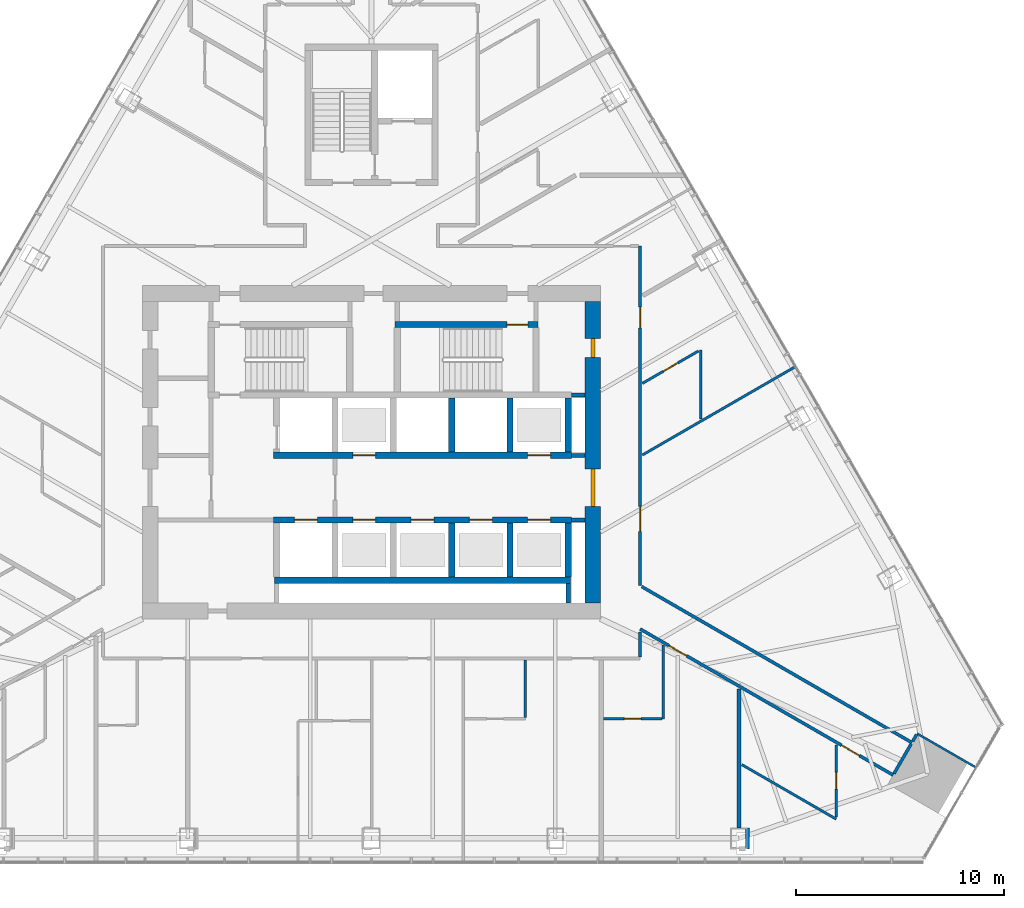
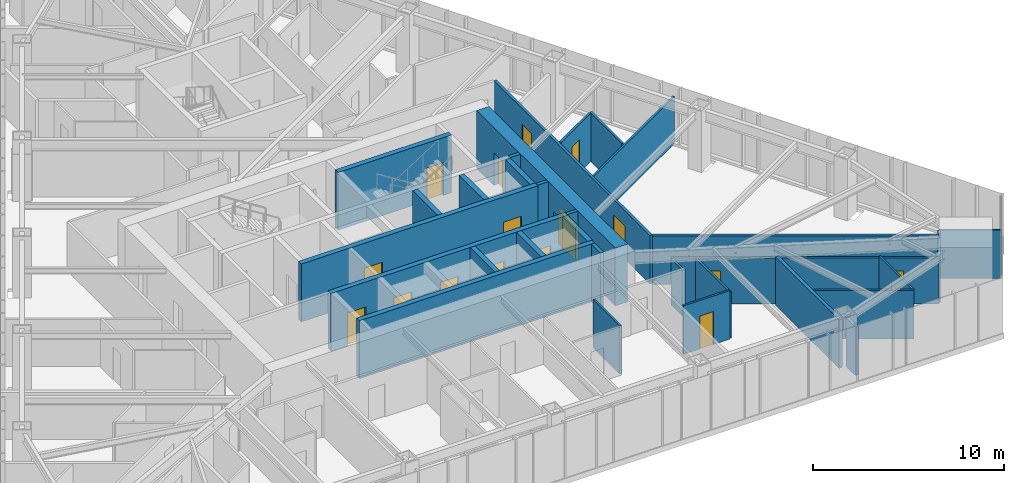
# One storey, part 15 of 19: 32 walls, 17 doors, 17 openings.
"""IFC4 building model written with IfcOpenShell, lengths in metres."""

import ifcopenshell
import ifcopenshell.guid

model = None  # the IFC model being written
_history = None  # IfcOwnerHistory: only IFC2X3 demands one
_inside = {}  # id of a spatial element -> (the spatial element, [elements in it])
_under = {}  # id of a project, library or spatial element -> (it, [spatial elements below it])
_declared = {}  # id of a project -> (the project, [libraries it declares])
_typed = {}  # id of a type object -> (the type object, [elements of that type])
_made_of = {}  # id of a material, layer set ... -> (it, [elements and type objects made of it])


def new_model(schema):
    """Start an empty IFC model of exactly this schema.

    Asked for "IFC4X3", IfcOpenShell would pick the latest addendum, in which some entities
    have other attributes; the version numbers below select the first issue.
    IFC2X3 requires an IfcOwnerHistory on every rooted entity: one is made here for all.
    """
    global model, _history
    if schema == "IFC4X3":
        model = ifcopenshell.file(schema_version=(4, 3, 0, 0))
    else:
        model = ifcopenshell.file(schema=schema)
    _inside.clear()
    _under.clear()
    _declared.clear()
    _typed.clear()
    _made_of.clear()
    _history = None
    if model.schema == "IFC2X3":
        org = make("IfcOrganization", Name="unknown")
        user = make(
            "IfcPersonAndOrganization",
            ThePerson=make("IfcPerson", FamilyName="unknown"),
            TheOrganization=org,
        )
        app = make(
            "IfcApplication",
            ApplicationDeveloper=org,
            Version="unknown",
            ApplicationFullName="unknown",
            ApplicationIdentifier="unknown",
        )
        _history = make(
            "IfcOwnerHistory",
            OwningUser=user,
            OwningApplication=app,
            ChangeAction="ADDED",
            CreationDate=0,
        )
    return model


def make(cls, **values):
    """One entity of the class cls with the attributes given. An attribute that is None is left unset."""
    return model.create_entity(
        cls, **{name: value for name, value in values.items() if value is not None}
    )


def rooted(cls, **values):
    """An entity with a GlobalId (a new one), such as an element, a storey or a relation."""
    return make(cls, GlobalId=ifcopenshell.guid.new(), OwnerHistory=_history, **values)


def si_unit(unit_type, name, prefix=None):
    """IfcSIUnit, for example si_unit("LENGTHUNIT", "METRE", prefix="MILLI")."""
    return make("IfcSIUnit", UnitType=unit_type, Prefix=prefix, Name=name)


def assignment(units):
    """IfcUnitAssignment: the units of a project."""
    return None if units is None else make("IfcUnitAssignment", Units=units)


def point(xyz):
    """IfcCartesianPoint."""
    return None if xyz is None else make("IfcCartesianPoint", Coordinates=xyz)


def direction(xyz):
    """IfcDirection."""
    return None if xyz is None else make("IfcDirection", DirectionRatios=xyz)


def frame(location, z_axis=None, x_axis=None):
    """IfcAxis2Placement3D, a coordinate frame: its origin and axes. An axis left out is left unset."""
    return make(
        "IfcAxis2Placement3D",
        Location=point(location),
        Axis=direction(z_axis),
        RefDirection=direction(x_axis),
    )


def frame_2d(location, x_axis=None):
    """IfcAxis2Placement2D, a coordinate frame in the plane: its origin and x axis."""
    return make(
        "IfcAxis2Placement2D", Location=point(location), RefDirection=direction(x_axis)
    )


def origin():
    """The frame at (0, 0, 0) with its axes left unset."""
    return frame((0.0, 0.0, 0.0))


def place(relative_to, where):
    """IfcLocalPlacement: puts the frame where relative to a parent placement (None: the world)."""
    return make(
        "IfcLocalPlacement", PlacementRelTo=relative_to, RelativePlacement=where
    )


def context(
    kind, dimensions, precision=None, world=None, true_north=None, identifier=None
):
    """IfcGeometricRepresentationContext, for example the 3D "Model" context."""
    return make(
        "IfcGeometricRepresentationContext",
        ContextIdentifier=identifier,
        ContextType=kind,
        CoordinateSpaceDimension=dimensions,
        Precision=precision,
        WorldCoordinateSystem=world,
        TrueNorth=true_north,
    )


def subcontext(parent, identifier, kind, view, scale=None):
    """IfcGeometricRepresentationSubContext, for example "Body" below "Model"."""
    return make(
        "IfcGeometricRepresentationSubContext",
        ContextIdentifier=identifier,
        ContextType=kind,
        ParentContext=parent,
        TargetScale=scale,
        TargetView=view,
    )


def project(units=None, contexts=None):
    """IfcProject with its units and contexts."""
    return rooted(
        "IfcProject",
        Name="project",
        RepresentationContexts=contexts,
        UnitsInContext=assignment(units),
    )


def spatial(cls, under=None, at=None, **own):
    """A site, building, storey or space (cls), placed at a placement, below another one or the project."""
    s = rooted(cls, ObjectPlacement=at, **own)
    if under is not None:
        _under.setdefault(under.id(), (under, []))[1].append(s)
    return s


def profile(cls, at=None, kind="AREA", **sizes):
    """A parametric profile (cls). Its sizes go by their IFC names, for example OverallWidth=200.0."""
    return make(cls, ProfileType=kind, Position=at, **sizes)


def rectangle(**sizes):
    """IfcRectangleProfileDef."""
    return profile("IfcRectangleProfileDef", **sizes)


def extrude(swept, where, along, depth):
    """IfcExtrudedAreaSolid: the profile swept, set in the frame where, extruded along a direction by depth."""
    return make(
        "IfcExtrudedAreaSolid",
        SweptArea=swept,
        Position=where,
        ExtrudedDirection=direction(along),
        Depth=depth,
    )


def shape(context_of_items, identifier, shape_type, items):
    """IfcShapeRepresentation: the items that make up one representation, for example the "Body"."""
    return make(
        "IfcShapeRepresentation",
        ContextOfItems=context_of_items,
        RepresentationIdentifier=identifier,
        RepresentationType=shape_type,
        Items=items,
    )


def material(Name=None, Category=None):
    """IfcMaterial."""
    return make("IfcMaterial", Name=Name, Category=Category)


def layer(
    of_material, thickness, ventilated=None, Name=None, Category=None, Priority=None
):
    """IfcMaterialLayer: one layer of a wall or slab, of a material (None: an air gap)."""
    return make(
        "IfcMaterialLayer",
        Material=of_material,
        LayerThickness=thickness,
        IsVentilated=ventilated,
        Name=Name,
        Category=Category,
        Priority=Priority,
    )


def layer_set(layers, Name=None):
    """IfcMaterialLayerSet."""
    return make("IfcMaterialLayerSet", MaterialLayers=layers, LayerSetName=Name)


def made_of(thing, what):
    """Note that an element or type object is made of a material, layer set ...; save() writes the relation."""
    if what is not None:
        _made_of.setdefault(what.id(), (what, []))[1].append(thing)
    return thing


def type_object(cls, material=None, **own):
    """A type object (cls), such as IfcWallType, which elements share."""
    return made_of(rooted(cls, **own), material)


def element(
    cls,
    number,
    at=None,
    inside=None,
    cuts=None,
    type_object=None,
    material=None,
    context=None,
    identifier="Body",
    shape_type=None,
    held_by="IfcProductDefinitionShape",
    body=None,
    shapes=None,
    **own,
):
    """One element of the class cls, such as IfcWall. Its Tag is "e" and its number.

    at: its placement. inside: the storey or other place that contains it. cuts: it is an
    opening in that element (IfcRelVoidsElement). A single representation is given by context,
    identifier, shape_type and body (its items); several are given by shapes. held_by: the class
    of the entity that holds the representations. save() writes the other relations.
    """
    e = rooted(cls, Tag="e%d" % number, ObjectPlacement=at, **own)
    if body is not None:
        shapes = [shape(context, identifier, shape_type, body)]
    if shapes is not None:
        e.Representation = make(held_by, Representations=shapes)
    if inside is not None:
        _inside.setdefault(inside.id(), (inside, []))[1].append(e)
    if cuts is not None:
        rooted(
            "IfcRelVoidsElement", RelatingBuildingElement=cuts, RelatedOpeningElement=e
        )
    if type_object is not None:
        _typed.setdefault(type_object.id(), (type_object, []))[1].append(e)
    return made_of(e, material)


def fill(opening, filler):
    """IfcRelFillsElement: the door or window that sits in an opening."""
    return rooted(
        "IfcRelFillsElement",
        RelatingOpeningElement=opening,
        RelatedBuildingElement=filler,
    )


def aggregate(whole, parts):
    """IfcRelAggregates: a whole, such as a stair, and the parts it consists of."""
    return rooted("IfcRelAggregates", RelatingObject=whole, RelatedObjects=parts)


def save(model, path):
    """Write the relations noted so far, then the file.

    IfcRelAggregates (storeys below a building ...), IfcRelContainedInSpatialStructure (elements
    in a storey), IfcRelDefinesByType, IfcRelAssociatesMaterial and IfcRelDeclares: one each for
    every whole, place, type object, material and project.
    """
    for whole, parts in _under.values():
        aggregate(whole, parts)
    for where, things in _inside.values():
        rooted(
            "IfcRelContainedInSpatialStructure",
            RelatedElements=things,
            RelatingStructure=where,
        )
    for kind, things in _typed.values():
        rooted("IfcRelDefinesByType", RelatedObjects=things, RelatingType=kind)
    for what, things in _made_of.values():
        rooted("IfcRelAssociatesMaterial", RelatedObjects=things, RelatingMaterial=what)
    for by, libraries in _declared.values():
        rooted("IfcRelDeclares", RelatingContext=by, RelatedDefinitions=libraries)
    model.write(path)


model = new_model("IFC4")

# Units and contexts
model_context = context("Model", 3, precision=1e-05, world=origin(), true_north=direction((0.0, 1.0)))
body_context = subcontext(model_context, "Body", "Model", "MODEL_VIEW")
ifc_project = project(units=[si_unit("LENGTHUNIT", "METRE"), si_unit("AREAUNIT", "SQUARE_METRE"), si_unit("VOLUMEUNIT", "CUBIC_METRE"), si_unit("PLANEANGLEUNIT", "RADIAN"), si_unit("MASSUNIT", "GRAM", prefix="KILO")], contexts=[model_context])

# Site, building, storey
site_placement = place(None, origin())
site = spatial("IfcSite", under=ifc_project, at=site_placement, CompositionType="ELEMENT")
building_placement = place(site_placement, origin())
building = spatial("IfcBuilding", under=site, at=building_placement, Name="Firuza Gate Tower and Library", CompositionType="ELEMENT")
storey_placement = place(building_placement, frame((0.0, 0.0, 179.199951171875)))
storey = spatial("IfcBuildingStorey", under=building, at=storey_placement, Name="L41", CompositionType="ELEMENT", Elevation=179.199951171875)

# Walls
ifc_material_1 = material(Name="Plasterboard on steel studs", Category="steel")
ifc_layer_1 = layer(ifc_material_1, 0.199951171875)
ifc_layer_set_1 = layer_set([ifc_layer_1], Name="Core partition 200 EI 120")
wall_type_1 = type_object("IfcWallType", Name="Core partition 200 EI 120", PredefinedType="PARTITIONING", material=ifc_layer_set_1)
for number, where, z_axis, x_axis, name in (
    (1, (84.60009765625, 71.75, 0.0), (0.0, 0.0, 1.0), (1.0, 0.0, 0.0), "Core partition L41 2"),
    (2, (84.60009765625, 74.85009765625, 0.0), (0.0, 0.0, 1.0), (1.0, 0.0, 0.0), "Core partition L41 4"),
    (3, (84.60009765625, 77.75, 0.0), (0.0, 0.0, 1.0), (1.0, 0.0, 0.0), "Core partition L41 5"),
):
    element("IfcWall", number, at=place(storey_placement, frame(where, z_axis=z_axis, x_axis=x_axis)), inside=storey, type_object=wall_type_1, Name=name, PredefinedType="PARTITIONING", context=body_context, shape_type="SweptSolid", body=[
        extrude(rectangle(XDim=0.64990234375, YDim=0.199951171875, at=frame_2d((0.324951171875, 0.0))), origin(), (0.0, 0.0, 1.0), 3.699951171875),
    ])
wall_1_placement = place(storey_placement, frame((84.449951171875, 67.75, 0.0), z_axis=(0.0, 0.0, 1.0), x_axis=(0.0, 1.0, 0.0)))
element("IfcWall", 4, at=wall_1_placement, inside=storey, type_object=wall_type_1, Name="Core partition L41 14", PredefinedType="PARTITIONING", context=body_context, shape_type="SweptSolid", body=[
    extrude(rectangle(XDim=0.949951171875, YDim=0.199951171875, at=frame_2d((0.47509765625, 0.0))), origin(), (0.0, 0.0, 1.0), 3.699951171875),
])
ifc_material_2 = material(Name="Concrete C80/95", Category="concrete")
ifc_layer_2 = layer(ifc_material_2, 0.300048828125)
ifc_layer_set_2 = layer_set([ifc_layer_2], Name="Core wall 300 C80/95")
wall_type_2 = type_object("IfcWallType", Name="Core wall 300 C80/95", PredefinedType="SHEAR", material=ifc_layer_set_2)
wall_2_placement = place(storey_placement, frame((70.35009765625, 68.85009765625, 0.0), z_axis=(0.0, 0.0, 1.0), x_axis=(1.0, 0.0, 0.0)))
element("IfcWall", 5, at=wall_2_placement, inside=storey, type_object=wall_type_2, Name="Core wall L41 5", PredefinedType="SHEAR", context=body_context, shape_type="SweptSolid", body=[
    extrude(rectangle(XDim=14.199951171875, YDim=0.300048828125, at=frame_2d((7.10009765625, 0.0))), origin(), (0.0, 0.0, 1.0), 3.699951171875),
])

# Wall, openings, doors
wall_3_placement = place(storey_placement, frame((70.300048828125, 71.75, 0.0), z_axis=(0.0, 0.0, 1.0), x_axis=(1.0, 0.0, 0.0)))
wall_3 = element("IfcWall", 6, at=wall_3_placement, inside=storey, type_object=wall_type_2, Name="Core wall L41 6", PredefinedType="SHEAR", context=body_context, shape_type="SweptSolid", body=[
    extrude(rectangle(XDim=14.300048828125, YDim=0.300048828125, at=frame_2d((7.14990234375, 0.0))), origin(), (0.0, 0.0, 1.0), 3.699951171875),
])
opening_1_placement = place(wall_3_placement, frame((1.0, 0.0, 0.0)))
opening_1 = element("IfcOpeningElement", 7, at=opening_1_placement, cuts=wall_3, Name="Opening LD-FF1-L41", PredefinedType="OPENING", context=body_context, shape_type="SweptSolid", body=[
    extrude(rectangle(XDim=1.10009765625, YDim=2.10009765625, at=frame_2d((0.550048828125, 1.050048828125))), frame((0.0, 0.16015625, 0.0), z_axis=(0.0, -1.0, 0.0), x_axis=(1.0, 0.0, 0.0)), (0.0, 0.0, 1.0), 0.320068359375),
])
opening_2_placement = place(wall_3_placement, frame((3.800048828125, 0.0, 0.0)))
opening_2 = element("IfcOpeningElement", 8, at=opening_2_placement, cuts=wall_3, Name="Opening LD-MR1-L41", PredefinedType="OPENING", context=body_context, shape_type="SweptSolid", body=[
    extrude(rectangle(XDim=1.10009765625, YDim=2.10009765625, at=frame_2d((0.550048828125, 1.050048828125))), frame((0.0, 0.16015625, 0.0), z_axis=(0.0, -1.0, 0.0), x_axis=(1.0, 0.0, 0.0)), (0.0, 0.0, 1.0), 0.320068359375),
])
opening_3_placement = place(wall_3_placement, frame((6.60009765625, 0.0, 0.0)))
opening_3 = element("IfcOpeningElement", 9, at=opening_3_placement, cuts=wall_3, Name="Opening LD-MR2-L41", PredefinedType="OPENING", context=body_context, shape_type="SweptSolid", body=[
    extrude(rectangle(XDim=1.10009765625, YDim=2.10009765625, at=frame_2d((0.550048828125, 1.050048828125))), frame((0.0, 0.16015625, 0.0), z_axis=(0.0, -1.0, 0.0), x_axis=(1.0, 0.0, 0.0)), (0.0, 0.0, 1.0), 0.320068359375),
])
opening_4_placement = place(wall_3_placement, frame((9.39990234375, 0.0, 0.0)))
opening_4 = element("IfcOpeningElement", 10, at=opening_4_placement, cuts=wall_3, Name="Opening LD-MR3-L41", PredefinedType="OPENING", context=body_context, shape_type="SweptSolid", body=[
    extrude(rectangle(XDim=1.10009765625, YDim=2.10009765625, at=frame_2d((0.550048828125, 1.050048828125))), frame((0.0, 0.16015625, 0.0), z_axis=(0.0, -1.0, 0.0), x_axis=(1.0, 0.0, 0.0)), (0.0, 0.0, 1.0), 0.320068359375),
])
opening_5_placement = place(wall_3_placement, frame((12.199951171875, 0.0, 0.0)))
opening_5 = element("IfcOpeningElement", 11, at=opening_5_placement, cuts=wall_3, Name="Opening LD-MR5-L41", PredefinedType="OPENING", context=body_context, shape_type="SweptSolid", body=[
    extrude(rectangle(XDim=1.10009765625, YDim=2.10009765625, at=frame_2d((0.550048828125, 1.050048828125))), frame((0.0, 0.16015625, 0.0), z_axis=(0.0, -1.0, 0.0), x_axis=(1.0, 0.0, 0.0)), (0.0, 0.0, 1.0), 0.320068359375),
])
ifc_material_3 = material(Name="Stainless steel", Category="steel")
door_type_1 = type_object("IfcDoorType", Name="Lift landing door 1100x2100", OperationType="DOUBLE_DOOR_SLIDING", PredefinedType="DOOR", material=ifc_material_3)
door_1_placement = place(opening_1_placement, origin())
door_1 = element("IfcDoor", 12, at=door_1_placement, inside=storey, type_object=door_type_1, Name="Landing door FF1 L41", OperationType="DOUBLE_DOOR_SLIDING", OverallHeight=2.10009765625, OverallWidth=1.10009765625, PredefinedType="DOOR", context=body_context, shape_type="SweptSolid", body=[
    extrude(rectangle(XDim=1.10009765625, YDim=2.10009765625, at=frame_2d((0.550048828125, 1.050048828125))), frame((0.0, 0.02490234375, 0.0), z_axis=(0.0, -1.0, 0.0), x_axis=(1.0, 0.0, 0.0)), (0.0, 0.0, 1.0), 0.050048828125),
])
fill(opening_1, door_1)
door_2_placement = place(opening_2_placement, origin())
door_2 = element("IfcDoor", 13, at=door_2_placement, inside=storey, type_object=door_type_1, Name="Landing door MR1 L41", OperationType="DOUBLE_DOOR_SLIDING", OverallHeight=2.10009765625, OverallWidth=1.10009765625, PredefinedType="DOOR", context=body_context, shape_type="SweptSolid", body=[
    extrude(rectangle(XDim=1.10009765625, YDim=2.10009765625, at=frame_2d((0.550048828125, 1.050048828125))), frame((0.0, 0.02490234375, 0.0), z_axis=(0.0, -1.0, 0.0), x_axis=(1.0, 0.0, 0.0)), (0.0, 0.0, 1.0), 0.050048828125),
])
fill(opening_2, door_2)
door_3_placement = place(opening_3_placement, origin())
door_3 = element("IfcDoor", 14, at=door_3_placement, inside=storey, type_object=door_type_1, Name="Landing door MR2 L41", OperationType="DOUBLE_DOOR_SLIDING", OverallHeight=2.10009765625, OverallWidth=1.10009765625, PredefinedType="DOOR", context=body_context, shape_type="SweptSolid", body=[
    extrude(rectangle(XDim=1.10009765625, YDim=2.10009765625, at=frame_2d((0.550048828125, 1.050048828125))), frame((0.0, 0.02490234375, 0.0), z_axis=(0.0, -1.0, 0.0), x_axis=(1.0, 0.0, 0.0)), (0.0, 0.0, 1.0), 0.050048828125),
])
fill(opening_3, door_3)
door_4_placement = place(opening_4_placement, origin())
door_4 = element("IfcDoor", 15, at=door_4_placement, inside=storey, type_object=door_type_1, Name="Landing door MR3 L41", OperationType="DOUBLE_DOOR_SLIDING", OverallHeight=2.10009765625, OverallWidth=1.10009765625, PredefinedType="DOOR", context=body_context, shape_type="SweptSolid", body=[
    extrude(rectangle(XDim=1.10009765625, YDim=2.10009765625, at=frame_2d((0.550048828125, 1.050048828125))), frame((0.0, 0.02490234375, 0.0), z_axis=(0.0, -1.0, 0.0), x_axis=(1.0, 0.0, 0.0)), (0.0, 0.0, 1.0), 0.050048828125),
])
fill(opening_4, door_4)
door_5_placement = place(opening_5_placement, origin())
door_5 = element("IfcDoor", 16, at=door_5_placement, inside=storey, type_object=door_type_1, Name="Landing door MR5 L41", OperationType="DOUBLE_DOOR_SLIDING", OverallHeight=2.10009765625, OverallWidth=1.10009765625, PredefinedType="DOOR", context=body_context, shape_type="SweptSolid", body=[
    extrude(rectangle(XDim=1.10009765625, YDim=2.10009765625, at=frame_2d((0.550048828125, 1.050048828125))), frame((0.0, 0.02490234375, 0.0), z_axis=(0.0, -1.0, 0.0), x_axis=(1.0, 0.0, 0.0)), (0.0, 0.0, 1.0), 0.050048828125),
])
fill(opening_5, door_5)

wall_4_placement = place(storey_placement, frame((70.300048828125, 74.85009765625, 0.0), z_axis=(0.0, 0.0, 1.0), x_axis=(1.0, 0.0, 0.0)))
wall_4 = element("IfcWall", 17, at=wall_4_placement, inside=storey, type_object=wall_type_2, Name="Core wall L41 7", PredefinedType="SHEAR", context=body_context, shape_type="SweptSolid", body=[
    extrude(rectangle(XDim=14.300048828125, YDim=0.300048828125, at=frame_2d((7.14990234375, 0.0))), origin(), (0.0, 0.0, 1.0), 3.699951171875),
])
opening_6_placement = place(wall_4_placement, frame((3.800048828125, 0.0, 0.0)))
opening_6 = element("IfcOpeningElement", 18, at=opening_6_placement, cuts=wall_4, Name="Opening LD-MR4-L41", PredefinedType="OPENING", context=body_context, shape_type="SweptSolid", body=[
    extrude(rectangle(XDim=1.10009765625, YDim=2.10009765625, at=frame_2d((0.550048828125, 1.050048828125))), frame((0.0, 0.16015625, 0.0), z_axis=(0.0, -1.0, 0.0), x_axis=(1.0, 0.0, 0.0)), (0.0, 0.0, 1.0), 0.320068359375),
])
opening_7_placement = place(wall_4_placement, frame((12.199951171875, 0.0, 0.0)))
opening_7 = element("IfcOpeningElement", 19, at=opening_7_placement, cuts=wall_4, Name="Opening LD-MR6-L41", PredefinedType="OPENING", context=body_context, shape_type="SweptSolid", body=[
    extrude(rectangle(XDim=1.10009765625, YDim=2.10009765625, at=frame_2d((0.550048828125, 1.050048828125))), frame((0.0, 0.16015625, 0.0), z_axis=(0.0, -1.0, 0.0), x_axis=(1.0, 0.0, 0.0)), (0.0, 0.0, 1.0), 0.320068359375),
])
door_6_placement = place(opening_6_placement, origin())
door_6 = element("IfcDoor", 20, at=door_6_placement, inside=storey, type_object=door_type_1, Name="Landing door MR4 L41", OperationType="DOUBLE_DOOR_SLIDING", OverallHeight=2.10009765625, OverallWidth=1.10009765625, PredefinedType="DOOR", context=body_context, shape_type="SweptSolid", body=[
    extrude(rectangle(XDim=1.10009765625, YDim=2.10009765625, at=frame_2d((0.550048828125, 1.050048828125))), frame((0.0, 0.02490234375, 0.0), z_axis=(0.0, -1.0, 0.0), x_axis=(1.0, 0.0, 0.0)), (0.0, 0.0, 1.0), 0.050048828125),
])
fill(opening_6, door_6)
door_7_placement = place(opening_7_placement, origin())
door_7 = element("IfcDoor", 21, at=door_7_placement, inside=storey, type_object=door_type_1, Name="Landing door MR6 L41", OperationType="DOUBLE_DOOR_SLIDING", OverallHeight=2.10009765625, OverallWidth=1.10009765625, PredefinedType="DOOR", context=body_context, shape_type="SweptSolid", body=[
    extrude(rectangle(XDim=1.10009765625, YDim=2.10009765625, at=frame_2d((0.550048828125, 1.050048828125))), frame((0.0, 0.02490234375, 0.0), z_axis=(0.0, -1.0, 0.0), x_axis=(1.0, 0.0, 0.0)), (0.0, 0.0, 1.0), 0.050048828125),
])
fill(opening_7, door_7)

# Walls
for number, where, z_axis, x_axis, name in (
    (22, (78.85009765625, 69.0, 0.0), (0.0, 0.0, 1.0), (0.0, 1.0, 0.0), "Core wall L41 14"),
    (23, (78.85009765625, 75.0, 0.0), (0.0, 0.0, 1.0), (0.0, 1.0, 0.0), "Core wall L41 15"),
    (24, (81.64990234375, 69.0, 0.0), (0.0, 0.0, 1.0), (0.0, 1.0, 0.0), "Core wall L41 16"),
    (25, (81.64990234375, 75.0, 0.0), (0.0, 0.0, 1.0), (0.0, 1.0, 0.0), "Core wall L41 17"),
    (26, (84.449951171875, 69.0, 0.0), (0.0, 0.0, 1.0), (0.0, 1.0, 0.0), "Core wall L41 18"),
    (27, (84.449951171875, 75.0, 0.0), (0.0, 0.0, 1.0), (0.0, 1.0, 0.0), "Core wall L41 19"),
):
    element("IfcWall", number, at=place(storey_placement, frame(where, z_axis=z_axis, x_axis=x_axis)), inside=storey, type_object=wall_type_2, Name=name, PredefinedType="SHEAR", context=body_context, shape_type="SweptSolid", body=[
        extrude(rectangle(XDim=2.60009765625, YDim=0.300048828125, at=frame_2d((1.300048828125, 0.0))), origin(), (0.0, 0.0, 1.0), 3.699951171875),
    ])

# Wall, opening, door
wall_5_placement = place(storey_placement, frame((76.139892578125, 81.1298828125, 0.0), z_axis=(0.0, 0.0, 1.0), x_axis=(1.0, 0.0, 0.0)))
wall_5 = element("IfcWall", 28, at=wall_5_placement, inside=storey, type_object=wall_type_2, Name="Core wall L41 22", PredefinedType="SHEAR", context=body_context, shape_type="SweptSolid", body=[
    extrude(rectangle(XDim=6.860107421875, YDim=0.300048828125, at=frame_2d((3.43017578125, 0.0))), origin(), (0.0, 0.0, 1.0), 3.699951171875),
])
opening_8_placement = place(wall_5_placement, frame((5.364990234375, 0.0, 0.0)))
opening_8 = element("IfcOpeningElement", 29, at=opening_8_placement, cuts=wall_5, Name="Opening L41-K13", PredefinedType="OPENING", context=body_context, shape_type="SweptSolid", body=[
    extrude(rectangle(XDim=1.0, YDim=2.10009765625, at=frame_2d((0.5, 1.050048828125))), frame((0.0, 0.16015625, 0.0), z_axis=(0.0, -1.0, 0.0), x_axis=(1.0, 0.0, 0.0)), (0.0, 0.0, 1.0), 0.320068359375),
])
ifc_material_4 = material(Name="Steel", Category="steel")
door_type_2 = type_object("IfcDoorType", Name="Fire door 1000x2100 FD90", OperationType="NOTDEFINED", PredefinedType="DOOR", material=ifc_material_4)
door_8_placement = place(opening_8_placement, origin())
door_8 = element("IfcDoor", 30, at=door_8_placement, inside=storey, type_object=door_type_2, Name="Door L41-K13", OperationType="SINGLE_SWING_RIGHT", OverallHeight=2.10009765625, OverallWidth=1.0, PredefinedType="DOOR", context=body_context, shape_type="SweptSolid", body=[
    extrude(rectangle(XDim=1.0, YDim=2.10009765625, at=frame_2d((0.5, 1.050048828125))), frame((0.0, 0.02490234375, 0.0), z_axis=(0.0, -1.0, 0.0), x_axis=(1.0, 0.0, 0.0)), (0.0, 0.0, 1.0), 0.050048828125),
])
fill(opening_8, door_8)

# Wall, openings, doors
ifc_material_5 = material(Name="Concrete C80/95", Category="concrete")
ifc_layer_3 = layer(ifc_material_5, 0.75)
ifc_layer_set_3 = layer_set([ifc_layer_3], Name="Core wall 750 C80/95")
wall_type_3 = type_object("IfcWallType", Name="Core wall 750 C80/95", PredefinedType="SHEAR", material=ifc_layer_set_3)
wall_6_placement = place(storey_placement, frame((85.625, 67.75, 0.0), z_axis=(0.0, 0.0, 1.0), x_axis=(0.0, 1.0, 0.0)))
wall_6 = element("IfcWall", 31, at=wall_6_placement, inside=storey, type_object=wall_type_3, Name="Core wall L41 4", PredefinedType="SHEAR", context=body_context, shape_type="SweptSolid", body=[
    extrude(rectangle(XDim=14.5, YDim=0.75, at=frame_2d((7.25, 0.0))), origin(), (0.0, 0.0, 1.0), 3.699951171875),
])
opening_9_placement = place(wall_6_placement, frame((4.64990234375, 0.0, 0.0)))
opening_9 = element("IfcOpeningElement", 32, at=opening_9_placement, cuts=wall_6, Name="Opening L41-K21", PredefinedType="OPENING", context=body_context, shape_type="SweptSolid", body=[
    extrude(rectangle(XDim=1.800048828125, YDim=2.10009765625, at=frame_2d((0.89990234375, 1.050048828125))), frame((0.0, 0.385009765625, 0.0), z_axis=(0.0, -1.0, 0.0), x_axis=(1.0, 0.0, 0.0)), (0.0, 0.0, 1.0), 0.77001953125),
])
opening_10_placement = place(wall_6_placement, frame((11.800048828125, 0.0, 0.0)))
opening_10 = element("IfcOpeningElement", 33, at=opening_10_placement, cuts=wall_6, Name="Opening L41-K26", PredefinedType="OPENING", context=body_context, shape_type="SweptSolid", body=[
    extrude(rectangle(XDim=0.89990234375, YDim=2.10009765625, at=frame_2d((0.449951171875, 1.050048828125))), frame((0.0, 0.385009765625, 0.0), z_axis=(0.0, -1.0, 0.0), x_axis=(1.0, 0.0, 0.0)), (0.0, 0.0, 1.0), 0.77001953125),
])
ifc_material_6 = material(Name="Steel", Category="steel")
door_type_3 = type_object("IfcDoorType", Name="Fire door 1800x2100 FD30S", OperationType="NOTDEFINED", PredefinedType="DOOR", material=ifc_material_6)
door_9_placement = place(opening_9_placement, origin())
door_9 = element("IfcDoor", 34, at=door_9_placement, inside=storey, type_object=door_type_3, Name="Door L41-K21", OperationType="SINGLE_SWING_RIGHT", OverallHeight=2.10009765625, OverallWidth=1.800048828125, PredefinedType="DOOR", context=body_context, shape_type="SweptSolid", body=[
    extrude(rectangle(XDim=1.800048828125, YDim=2.10009765625, at=frame_2d((0.89990234375, 1.050048828125))), frame((0.0, 0.094970703125, 0.0), z_axis=(0.0, -1.0, 0.0), x_axis=(1.0, 0.0, 0.0)), (0.0, 0.0, 1.0), 0.18994140625),
])
fill(opening_9, door_9)
ifc_material_7 = material(Name="Steel", Category="steel")
door_type_4 = type_object("IfcDoorType", Name="Fire door 900x2100 FD30S", OperationType="NOTDEFINED", PredefinedType="DOOR", material=ifc_material_7)
door_10_placement = place(opening_10_placement, origin())
door_10 = element("IfcDoor", 35, at=door_10_placement, inside=storey, type_object=door_type_4, Name="Door L41-K26", OperationType="SINGLE_SWING_LEFT", OverallHeight=2.10009765625, OverallWidth=0.89990234375, PredefinedType="DOOR", context=body_context, shape_type="SweptSolid", body=[
    extrude(rectangle(XDim=0.89990234375, YDim=2.10009765625, at=frame_2d((0.449951171875, 1.050048828125))), frame((0.0, 0.094970703125, 0.0), z_axis=(0.0, -1.0, 0.0), x_axis=(1.0, 0.0, 0.0)), (0.0, 0.0, 1.0), 0.18994140625),
])
fill(opening_10, door_10)

# Walls
ifc_material_8 = material(Name="Gypsum board partition")
ifc_layer_4 = layer(ifc_material_8, 0.14990234375)
ifc_layer_set_4 = layer_set([ifc_layer_4], Name="Corridor wall 150 double board on steel studs")
wall_type_4 = type_object("IfcWallType", Name="Corridor wall 150 double board on steel studs", PredefinedType="PARTITIONING", material=ifc_layer_set_4)
wall_7_placement = place(storey_placement, frame((100.087890625, 59.5634765625, 0.0), z_axis=(0.0, 0.0, 1.0), x_axis=(0.500102515474, 0.865966208357, 0.0)))
element("IfcWall", 36, at=wall_7_placement, inside=storey, type_object=wall_type_4, Name="f:L41:w039", PredefinedType="PARTITIONING", context=body_context, shape_type="SweptSolid", body=[
    extrude(rectangle(XDim=1.649658203125, YDim=0.14990234375, at=frame_2d((0.82470703125, 0.0))), origin(), (0.0, 0.0, 1.0), 2.947021484375),
])
wall_8_placement = place(storey_placement, frame((87.89990234375, 65.175048828125, 0.0), z_axis=(0.0, 0.0, 1.0), x_axis=(0.0, 1.0, 0.0)))
element("IfcWall", 37, at=wall_8_placement, inside=storey, type_object=wall_type_4, Name="f:L41:w048", PredefinedType="PARTITIONING", context=body_context, shape_type="SweptSolid", body=[
    extrude(rectangle(XDim=1.201416015625, YDim=0.14990234375, at=frame_2d((0.6005859375, 0.0))), origin(), (0.0, 0.0, 1.0), 2.947021484375),
])

# Wall, openings, doors
wall_9_placement = place(storey_placement, frame((87.89990234375, 84.89990234375, 0.0), z_axis=(0.0, 0.0, 1.0), x_axis=(0.0, -1.0, 0.0)))
wall_9 = element("IfcWall", 38, at=wall_9_placement, inside=storey, type_object=wall_type_4, Name="f:L41:w049", PredefinedType="PARTITIONING", context=body_context, shape_type="SweptSolid", body=[
    extrude(rectangle(XDim=16.308349609375, YDim=0.14990234375, at=frame_2d((8.154296875, 0.0))), origin(), (0.0, 0.0, 1.0), 3.10009765625),
])
opening_11_placement = place(wall_9_placement, frame((2.93017578125, 0.0, 0.0)))
opening_11 = element("IfcOpeningElement", 39, at=opening_11_placement, cuts=wall_9, Name="Opening L41-25", PredefinedType="OPENING", context=body_context, shape_type="SweptSolid", body=[
    extrude(rectangle(XDim=1.0, YDim=2.10009765625, at=frame_2d((0.5, 1.050048828125))), frame((0.0, 0.0849609375, 0.0), z_axis=(0.0, -1.0, 0.0), x_axis=(1.0, 0.0, 0.0)), (0.0, 0.0, 1.0), 0.169921875),
])
opening_12_placement = place(wall_9_placement, frame((12.49951171875, 0.0, 0.0)))
opening_12 = element("IfcOpeningElement", 40, at=opening_12_placement, cuts=wall_9, Name="Opening L41-26", PredefinedType="OPENING", context=body_context, shape_type="SweptSolid", body=[
    extrude(rectangle(XDim=1.199951171875, YDim=2.10009765625, at=frame_2d((0.60009765625, 1.050048828125))), frame((0.0, 0.0849609375, 0.0), z_axis=(0.0, -1.0, 0.0), x_axis=(1.0, 0.0, 0.0)), (0.0, 0.0, 1.0), 0.169921875),
])
ifc_material_9 = material(Name="Steel door and timber leaf", Category="steel")
door_type_5 = type_object("IfcDoorType", Name="Fire door 1000 x 2100 steel frame, timber leaf", OperationType="NOTDEFINED", PredefinedType="DOOR", material=ifc_material_9)
door_11_placement = place(opening_11_placement, origin())
door_11 = element("IfcDoor", 41, at=door_11_placement, inside=storey, type_object=door_type_5, Name="f:L41:d025", OperationType="SINGLE_SWING_LEFT", OverallHeight=2.10009765625, OverallWidth=1.0, PredefinedType="DOOR", context=body_context, shape_type="SweptSolid", body=[
    extrude(rectangle(XDim=1.0, YDim=2.10009765625, at=frame_2d((0.5, 1.050048828125))), frame((0.0, 0.02490234375, 0.0), z_axis=(0.0, -1.0, 0.0), x_axis=(1.0, 0.0, 0.0)), (0.0, 0.0, 1.0), 0.050048828125),
])
fill(opening_11, door_11)
ifc_material_10 = material(Name="Steel door and timber leaf", Category="steel")
door_type_6 = type_object("IfcDoorType", Name="Fire door 1200 x 2100 steel frame, double leaf", OperationType="NOTDEFINED", PredefinedType="DOOR", material=ifc_material_10)
door_12_placement = place(opening_12_placement, origin())
door_12 = element("IfcDoor", 42, at=door_12_placement, inside=storey, type_object=door_type_6, Name="f:L41:d026", OperationType="DOUBLE_DOOR_SINGLE_SWING", OverallHeight=2.10009765625, OverallWidth=1.199951171875, PredefinedType="DOOR", context=body_context, shape_type="SweptSolid", body=[
    extrude(rectangle(XDim=1.199951171875, YDim=2.10009765625, at=frame_2d((0.60009765625, 1.050048828125))), frame((0.0, 0.02490234375, 0.0), z_axis=(0.0, -1.0, 0.0), x_axis=(1.0, 0.0, 0.0)), (0.0, 0.0, 1.0), 0.050048828125),
])
fill(opening_12, door_12)

# Wall
wall_10_placement = place(storey_placement, frame((100.9501953125, 61.056884765625, 0.0), z_axis=(0.0, 0.0, 1.0), x_axis=(-0.866024397638, 0.500001742692, 0.0)))
element("IfcWall", 43, at=wall_10_placement, inside=storey, type_object=wall_type_4, Name="f:L41:w091", PredefinedType="PARTITIONING", context=body_context, shape_type="SweptSolid", body=[
    extrude(rectangle(XDim=14.982421875, YDim=0.14990234375, at=frame_2d((7.4912109375, 0.0))), origin(), (0.0, 0.0, 1.0), 3.10009765625),
])

# Wall, openings, doors
wall_11_placement = place(storey_placement, frame((100.0498046875, 59.498291015625, 0.0), z_axis=(0.0, 0.0, 1.0), x_axis=(-0.866024169077, 0.50000213857, 0.0)))
wall_11 = element("IfcWall", 44, at=wall_11_placement, inside=storey, type_object=wall_type_4, Name="f:L41:w092", PredefinedType="PARTITIONING", context=body_context, shape_type="SweptSolid", body=[
    extrude(rectangle(XDim=14.029296875, YDim=0.14990234375, at=frame_2d((7.0146484375, 0.0))), origin(), (0.0, 0.0, 1.0), 2.947021484375),
])
opening_13_placement = place(wall_11_placement, frame((1.8701171875, 0.0, 0.0)))
opening_13 = element("IfcOpeningElement", 45, at=opening_13_placement, cuts=wall_11, Name="Opening L41-39", PredefinedType="OPENING", context=body_context, shape_type="SweptSolid", body=[
    extrude(rectangle(XDim=1.0, YDim=2.10009765625, at=frame_2d((0.5, 1.050048828125))), frame((0.0, 0.0849609375, 0.0), z_axis=(0.0, -1.0, 0.0), x_axis=(1.0, 0.0, 0.0)), (0.0, 0.0, 1.0), 0.169921875),
])
opening_14_placement = place(wall_11_placement, frame((11.4365234375, 0.0, 0.0)))
opening_14 = element("IfcOpeningElement", 46, at=opening_14_placement, cuts=wall_11, Name="Opening L41-40", PredefinedType="OPENING", context=body_context, shape_type="SweptSolid", body=[
    extrude(rectangle(XDim=1.0, YDim=2.10009765625, at=frame_2d((0.5, 1.050048828125))), frame((0.0, 0.0849609375, 0.0), z_axis=(0.0, -1.0, 0.0), x_axis=(1.0, 0.0, 0.0)), (0.0, 0.0, 1.0), 0.169921875),
])
door_13_placement = place(opening_13_placement, origin())
door_13 = element("IfcDoor", 47, at=door_13_placement, inside=storey, type_object=door_type_5, Name="f:L41:d039", OperationType="SINGLE_SWING_LEFT", OverallHeight=2.10009765625, OverallWidth=1.0, PredefinedType="DOOR", context=body_context, shape_type="SweptSolid", body=[
    extrude(rectangle(XDim=1.0, YDim=2.10009765625, at=frame_2d((0.5, 1.050048828125))), frame((0.0, 0.02490234375, 0.0), z_axis=(0.0, -1.0, 0.0), x_axis=(1.0, 0.0, 0.0)), (0.0, 0.0, 1.0), 0.050048828125),
])
fill(opening_13, door_13)
door_14_placement = place(opening_14_placement, origin())
door_14 = element("IfcDoor", 48, at=door_14_placement, inside=storey, type_object=door_type_5, Name="f:L41:d040", OperationType="SINGLE_SWING_LEFT", OverallHeight=2.10009765625, OverallWidth=1.0, PredefinedType="DOOR", context=body_context, shape_type="SweptSolid", body=[
    extrude(rectangle(XDim=1.0, YDim=2.10009765625, at=frame_2d((0.5, 1.050048828125))), frame((0.0, 0.02490234375, 0.0), z_axis=(0.0, -1.0, 0.0), x_axis=(1.0, 0.0, 0.0)), (0.0, 0.0, 1.0), 0.050048828125),
])
fill(opening_14, door_14)

# Walls
wall_12_placement = place(storey_placement, frame((100.98779296875, 61.121826171875, 0.0), z_axis=(0.0, 0.0, 1.0), x_axis=(0.500136362069, 0.865946660792, 0.0)))
element("IfcWall", 49, at=wall_12_placement, inside=storey, type_object=wall_type_4, Name="f:L41:w104", PredefinedType="PARTITIONING", context=body_context, shape_type="SweptSolid", body=[
    extrude(rectangle(XDim=0.37451171875, YDim=0.14990234375, at=frame_2d((0.187255859375, 0.0))), origin(), (0.0, 0.0, 1.0), 3.10009765625),
])
ifc_material_11 = material(Name="Gypsum board partition")
ifc_layer_5 = layer(ifc_material_11, 0.199951171875)
ifc_layer_set_5 = layer_set([ifc_layer_5], Name="Demising wall 200 acoustic double stud")
wall_type_5 = type_object("IfcWallType", Name="Demising wall 200 acoustic double stud", PredefinedType="PARTITIONING", material=ifc_layer_set_5)
wall_13_placement = place(storey_placement, frame((93.048095703125, 55.960205078125, 0.0), z_axis=(0.0, 0.0, 1.0), x_axis=(0.0, 1.0, 0.0)))
element("IfcWall", 50, at=wall_13_placement, inside=storey, type_object=wall_type_5, Name="f:L41:w044", PredefinedType="PARTITIONING", context=body_context, shape_type="SweptSolid", body=[
    extrude(rectangle(XDim=0.9990234375, YDim=0.199951171875, at=frame_2d((0.49951171875, 0.0))), origin(), (0.0, 0.0, 1.0), 3.10009765625),
])
wall_14_placement = place(storey_placement, frame((92.64794921875, 56.959716796875, 0.0), z_axis=(0.0, 0.0, 1.0), x_axis=(0.0, 1.0, 0.0)))
element("IfcWall", 51, at=wall_14_placement, inside=storey, type_object=wall_type_5, Name="f:L41:w045", PredefinedType="PARTITIONING", context=body_context, shape_type="SweptSolid", body=[
    extrude(rectangle(XDim=6.66552734375, YDim=0.199951171875, at=frame_2d((3.332763671875, 0.0))), origin(), (0.0, 0.0, 1.0), 3.10009765625),
])
ifc_material_12 = material(Name="Gypsum board partition")
ifc_layer_6 = layer(ifc_material_12, 0.10009765625)
ifc_layer_set_6 = layer_set([ifc_layer_6], Name="Partition 100 gypsum board on steel studs")
wall_type_6 = type_object("IfcWallType", Name="Partition 100 gypsum board on steel studs", PredefinedType="PARTITIONING", material=ifc_layer_set_6)
wall_15_placement = place(storey_placement, frame((104.023681640625, 59.85986328125, 0.0), z_axis=(0.0, 0.0, 1.0), x_axis=(-0.866022198381, 0.50000555188, 0.0)))
element("IfcWall", 52, at=wall_15_placement, inside=storey, type_object=wall_type_6, Name="f:L41:w090", PredefinedType="PARTITIONING", context=body_context, shape_type="SweptSolid", body=[
    extrude(rectangle(XDim=3.259765625, YDim=0.10009765625, at=frame_2d((1.6298828125, 0.0))), origin(), (0.0, 0.0, 1.0), 3.10009765625),
])

# Wall, opening, door
ifc_material_13 = material(Name="Gypsum board partition")
ifc_layer_7 = layer(ifc_material_13, 0.1201171875)
ifc_layer_set_7 = layer_set([ifc_layer_7], Name="Wet-area partition 120 moisture-resistant board")
wall_type_7 = type_object("IfcWallType", Name="Wet-area partition 120 moisture-resistant board", PredefinedType="PARTITIONING", material=ifc_layer_set_7)
wall_16_placement = place(storey_placement, frame((86.139892578125, 62.199951171875, 0.0), z_axis=(0.0, 0.0, 1.0), x_axis=(1.0, 0.0, 0.0)))
wall_16 = element("IfcWall", 53, at=wall_16_placement, inside=storey, type_object=wall_type_7, Name="f:L41:w008", PredefinedType="PARTITIONING", context=body_context, shape_type="SweptSolid", body=[
    extrude(rectangle(XDim=2.807861328125, YDim=0.1201171875, at=frame_2d((1.40380859375, 0.0))), origin(), (0.0, 0.0, 1.0), 3.10009765625),
])
opening_15_placement = place(wall_16_placement, frame((1.00390625, 0.0, 0.0)))
opening_15 = element("IfcOpeningElement", 54, at=opening_15_placement, cuts=wall_16, Name="Opening L41-04", PredefinedType="OPENING", context=body_context, shape_type="SweptSolid", body=[
    extrude(rectangle(XDim=0.800048828125, YDim=2.10009765625, at=frame_2d((0.39990234375, 1.050048828125))), frame((0.0, 0.070068359375, 0.0), z_axis=(0.0, -1.0, 0.0), x_axis=(1.0, 0.0, 0.0)), (0.0, 0.0, 1.0), 0.14013671875),
])
ifc_material_14 = material(Name="Timber door", Category="wood")
door_type_7 = type_object("IfcDoorType", Name="Door 800 x 2100 timber leaf", OperationType="NOTDEFINED", PredefinedType="DOOR", material=ifc_material_14)
door_15_placement = place(opening_15_placement, origin())
door_15 = element("IfcDoor", 55, at=door_15_placement, inside=storey, type_object=door_type_7, Name="f:L41:d004", OperationType="SINGLE_SWING_RIGHT", OverallHeight=2.10009765625, OverallWidth=0.800048828125, PredefinedType="DOOR", context=body_context, shape_type="SweptSolid", body=[
    extrude(rectangle(XDim=0.800048828125, YDim=2.10009765625, at=frame_2d((0.39990234375, 1.050048828125))), frame((0.0, 0.02490234375, 0.0), z_axis=(0.0, -1.0, 0.0), x_axis=(1.0, 0.0, 0.0)), (0.0, 0.0, 1.0), 0.050048828125),
])
fill(opening_15, door_15)

# Wall
wall_17_placement = place(storey_placement, frame((88.009765625, 74.869384765625, 0.0), z_axis=(0.0, 0.0, 1.0), x_axis=(0.866017924271, 0.500012954673, 0.0)))
element("IfcWall", 56, at=wall_17_placement, inside=storey, type_object=wall_type_7, Name="f:L41:w020", PredefinedType="PARTITIONING", context=body_context, shape_type="SweptSolid", body=[
    extrude(rectangle(XDim=8.438720703125, YDim=0.1201171875, at=frame_2d((4.21923828125, 0.0))), origin(), (0.0, 0.0, 1.0), 3.02197265625),
])

# Wall, opening, door
wall_18_placement = place(storey_placement, frame((90.705322265625, 79.864501953125, 0.0), z_axis=(0.0, 0.0, 1.0), x_axis=(-0.866009247561, -0.500027982357, 0.0)))
wall_18 = element("IfcWall", 57, at=wall_18_placement, inside=storey, type_object=wall_type_7, Name="f:L41:w023", PredefinedType="PARTITIONING", context=body_context, shape_type="SweptSolid", body=[
    extrude(rectangle(XDim=3.112548828125, YDim=0.1201171875, at=frame_2d((1.55615234375, 0.0))), origin(), (0.0, 0.0, 1.0), 3.10009765625),
])
opening_16_placement = place(wall_18_placement, frame((1.156494140625, 0.0, 0.0)))
opening_16 = element("IfcOpeningElement", 58, at=opening_16_placement, cuts=wall_18, Name="Opening L41-14", PredefinedType="OPENING", context=body_context, shape_type="SweptSolid", body=[
    extrude(rectangle(XDim=0.800048828125, YDim=2.10009765625, at=frame_2d((0.39990234375, 1.050048828125))), frame((0.0, 0.070068359375, 0.0), z_axis=(0.0, -1.0, 0.0), x_axis=(1.0, 0.0, 0.0)), (0.0, 0.0, 1.0), 0.14013671875),
])
door_16_placement = place(opening_16_placement, origin())
door_16 = element("IfcDoor", 59, at=door_16_placement, inside=storey, type_object=door_type_7, Name="f:L41:d014", OperationType="SINGLE_SWING_RIGHT", OverallHeight=2.10009765625, OverallWidth=0.800048828125, PredefinedType="DOOR", context=body_context, shape_type="SweptSolid", body=[
    extrude(rectangle(XDim=0.800048828125, YDim=2.10009765625, at=frame_2d((0.39990234375, 1.050048828125))), frame((0.0, 0.02490234375, 0.0), z_axis=(0.0, -1.0, 0.0), x_axis=(1.0, 0.0, 0.0)), (0.0, 0.0, 1.0), 0.050048828125),
])
fill(opening_16, door_16)

wall_19_placement = place(storey_placement, frame((97.31201171875, 57.493408203125, 0.0), z_axis=(0.0, 0.0, 1.0), x_axis=(0.0, 1.0, 0.0)))
wall_19 = element("IfcWall", 60, at=wall_19_placement, inside=storey, type_object=wall_type_7, Name="f:L41:w043", PredefinedType="PARTITIONING", context=body_context, shape_type="SweptSolid", body=[
    extrude(rectangle(XDim=3.459228515625, YDim=0.1201171875, at=frame_2d((1.7294921875, 0.0))), origin(), (0.0, 0.0, 1.0), 3.10009765625),
])
opening_17_placement = place(wall_19_placement, frame((1.32958984375, 0.0, 0.0)))
opening_17 = element("IfcOpeningElement", 61, at=opening_17_placement, cuts=wall_19, Name="Opening L41-24", PredefinedType="OPENING", context=body_context, shape_type="SweptSolid", body=[
    extrude(rectangle(XDim=0.800048828125, YDim=2.10009765625, at=frame_2d((0.39990234375, 1.050048828125))), frame((0.0, 0.070068359375, 0.0), z_axis=(0.0, -1.0, 0.0), x_axis=(1.0, 0.0, 0.0)), (0.0, 0.0, 1.0), 0.14013671875),
])
door_17_placement = place(opening_17_placement, origin())
door_17 = element("IfcDoor", 62, at=door_17_placement, inside=storey, type_object=door_type_7, Name="f:L41:d024", OperationType="SINGLE_SWING_RIGHT", OverallHeight=2.10009765625, OverallWidth=0.800048828125, PredefinedType="DOOR", context=body_context, shape_type="SweptSolid", body=[
    extrude(rectangle(XDim=0.800048828125, YDim=2.10009765625, at=frame_2d((0.39990234375, 1.050048828125))), frame((0.0, 0.02490234375, 0.0), z_axis=(0.0, -1.0, 0.0), x_axis=(1.0, 0.0, 0.0)), (0.0, 0.0, 1.0), 0.050048828125),
])
fill(opening_17, door_17)

# Walls
wall_20_placement = place(storey_placement, frame((90.800048828125, 76.58984375, 0.0), z_axis=(0.0, 0.0, 1.0), x_axis=(0.0, 1.0, 0.0)))
element("IfcWall", 63, at=wall_20_placement, inside=storey, type_object=wall_type_7, Name="f:L41:w046", PredefinedType="PARTITIONING", context=body_context, shape_type="SweptSolid", body=[
    extrude(rectangle(XDim=3.329345703125, YDim=0.1201171875, at=frame_2d((1.66455078125, 0.0))), origin(), (0.0, 0.0, 1.0), 3.10009765625),
])
wall_21_placement = place(storey_placement, frame((89.008056640625, 62.199951171875, 0.0), z_axis=(0.0, 0.0, 1.0), x_axis=(0.0, 1.0, 0.0)))
element("IfcWall", 64, at=wall_21_placement, inside=storey, type_object=wall_type_7, Name="f:L41:w047", PredefinedType="PARTITIONING", context=body_context, shape_type="SweptSolid", body=[
    extrude(rectangle(XDim=3.546875, YDim=0.1201171875, at=frame_2d((1.7734375, 0.0))), origin(), (0.0, 0.0, 1.0), 2.947021484375),
])
wall_22_placement = place(storey_placement, frame((82.389892578125, 62.260009765625, 0.0), z_axis=(0.0, 0.0, 1.0), x_axis=(0.0, 1.0, 0.0)))
element("IfcWall", 65, at=wall_22_placement, inside=storey, type_object=wall_type_7, Name="f:L41:w053", PredefinedType="PARTITIONING", context=body_context, shape_type="SweptSolid", body=[
    extrude(rectangle(XDim=2.764892578125, YDim=0.1201171875, at=frame_2d((1.38232421875, 0.0))), origin(), (0.0, 0.0, 1.0), 3.10009765625),
])
wall_23_placement = place(storey_placement, frame((97.3115234375, 57.38427734375, 0.0), z_axis=(0.0, 0.0, 1.0), x_axis=(-0.866013777185, 0.50002013732, 0.0)))
element("IfcWall", 66, at=wall_23_placement, inside=storey, type_object=wall_type_7, Name="f:L41:w093", PredefinedType="PARTITIONING", context=body_context, shape_type="SweptSolid", body=[
    extrude(rectangle(XDim=5.229736328125, YDim=0.1201171875, at=frame_2d((2.61474609375, 0.0))), origin(), (0.0, 0.0, 1.0), 3.10009765625),
])

save(model, "model.ifc")
